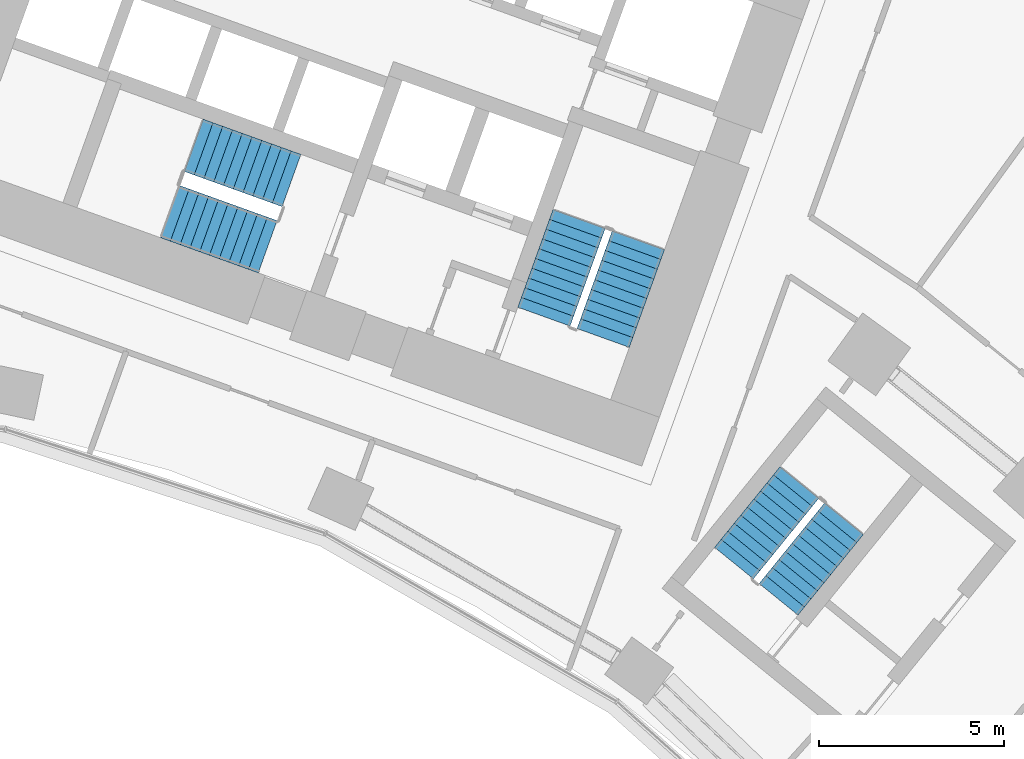
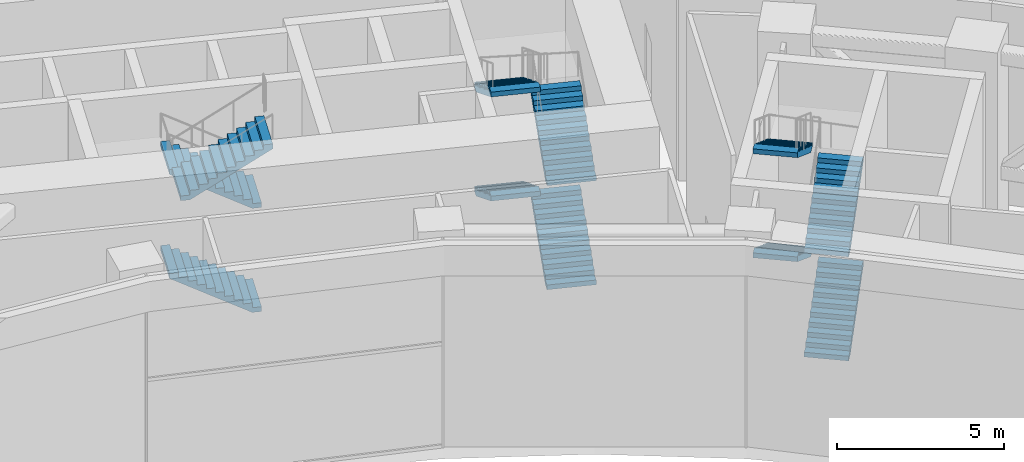
# One storey, part 30 of 33: 11 stair flights, 3 elements without a shape of their own.
"""IFC4 building model written with IfcOpenShell, lengths in metres."""

from ifc_helpers import new_model, si_unit, direction, frame, origin, place, context, subcontext, project, spatial, polyline, outline, extrude, material, type_object, element, aggregate, save


model = new_model("IFC4")

# Units and contexts
model_context = context("Model", 3, precision=1e-05, world=origin(), true_north=direction((0.0, 1.0)))
body_context = subcontext(model_context, "Body", "Model", "MODEL_VIEW")
ifc_project = project(units=[si_unit("LENGTHUNIT", "METRE"), si_unit("AREAUNIT", "SQUARE_METRE"), si_unit("VOLUMEUNIT", "CUBIC_METRE"), si_unit("PLANEANGLEUNIT", "RADIAN"), si_unit("MASSUNIT", "GRAM", prefix="KILO")], contexts=[model_context])

# Site, building, storey
site_placement = place(None, origin())
site = spatial("IfcSite", under=ifc_project, at=site_placement, CompositionType="ELEMENT")
building_placement = place(site_placement, origin())
building = spatial("IfcBuilding", under=site, at=building_placement, Name="Stone Belt Terrace Tower", CompositionType="ELEMENT")
storey_placement = place(building_placement, frame((0.0, 0.0, 79.39990234375)))
storey = spatial("IfcBuildingStorey", under=building, at=storey_placement, Name="L19", CompositionType="ELEMENT", Elevation=79.39990234375)

# Stair, stair flights
ifc_material = material(Name="Concrete B40", Category="concrete")
stair_type = type_object("IfcStairType", Name="Exit stair 1500", PredefinedType="HALF_TURN_STAIR", material=ifc_material)
stair_1_placement = place(storey_placement, origin())
stair_1 = element("IfcStair", 1, at=stair_1_placement, inside=storey, type_object=stair_type, Name="L19 Exit stair 1 core B", PredefinedType="HALF_TURN_STAIR")
stair_flight_type = type_object("IfcStairFlightType", Name="Stair flight 1500", PredefinedType="STRAIGHT", material=ifc_material)
stair_flight_1_placement = place(storey_placement, frame((25.15283203125, 44.9375, 0.0), z_axis=(0.0, 0.0, 1.0), x_axis=(0.338624396177, 0.940921632398, 0.0)))
stair_flight_1 = element("IfcStairFlight", 2, at=stair_flight_1_placement, type_object=stair_flight_type, Name="ST1B flight 1", NumberOfRisers=11, NumberOfTreads=10, PredefinedType="STRAIGHT", RiserHeight=0.172727273, TreadLength=0.28, context=body_context, shape_type="SweptSolid", body=[
    extrude(outline(polyline([(0.0, 0.0), (0.0, 0.172607421875), (0.280029296875, 0.172607421875), (0.280029296875, 0.345458984375), (0.56005859375, 0.345458984375), (0.56005859375, 0.51806640625), (0.840087890625, 0.51806640625), (0.840087890625, 0.69091796875), (1.1201171875, 0.69091796875), (1.1201171875, 0.863525390625), (1.39990234375, 0.863525390625), (1.39990234375, 1.036376953125), (1.679931640625, 1.036376953125), (1.679931640625, 1.208984375), (1.9599609375, 1.208984375), (1.9599609375, 1.3818359375), (2.239990234375, 1.3818359375), (2.239990234375, 1.554443359375), (2.52001953125, 1.554443359375), (2.52001953125, 1.727294921875), (2.800048828125, 1.727294921875), (2.800048828125, 1.89990234375), (2.800048828125, 1.551025390625), (0.285400390625, 0.0), (0.0, 0.0)])), frame((0.0, 0.75, 0.0), z_axis=(0.0, -1.0, 0.0), x_axis=(1.0, 0.0, 0.0)), (0.0, 0.0, 1.0), 1.5),
])
stair_flight_2_placement = place(storey_placement, frame((24.50146484375, 48.147705078125, 1.900146484375), z_axis=(0.0, 0.0, 1.0), x_axis=(-0.338624396177, -0.940921632398, 0.0)))
stair_flight_2 = element("IfcStairFlight", 3, at=stair_flight_2_placement, type_object=stair_flight_type, Name="ST1B flight 2", NumberOfRisers=11, NumberOfTreads=10, PredefinedType="STRAIGHT", RiserHeight=0.172727273, TreadLength=0.28, context=body_context, shape_type="SweptSolid", body=[
    extrude(outline(polyline([(0.0, 0.0), (0.0, 0.172607421875), (0.280029296875, 0.172607421875), (0.280029296875, 0.345458984375), (0.56005859375, 0.345458984375), (0.56005859375, 0.51806640625), (0.840087890625, 0.51806640625), (0.840087890625, 0.69091796875), (1.1201171875, 0.69091796875), (1.1201171875, 0.863525390625), (1.39990234375, 0.863525390625), (1.39990234375, 1.036376953125), (1.679931640625, 1.036376953125), (1.679931640625, 1.208984375), (1.9599609375, 1.208984375), (1.9599609375, 1.3818359375), (2.239990234375, 1.3818359375), (2.239990234375, 1.554443359375), (2.52001953125, 1.554443359375), (2.52001953125, 1.727294921875), (2.800048828125, 1.727294921875), (2.800048828125, 1.89990234375), (2.800048828125, 1.551025390625), (0.285400390625, 0.0), (0.0, 0.0)])), frame((0.0, 0.75, 0.0), z_axis=(0.0, -1.0, 0.0), x_axis=(1.0, 0.0, 0.0)), (0.0, 0.0, 1.0), 1.5),
])
stair_flight_3_placement = place(storey_placement, frame((25.15283203125, 44.9375, 3.800048828125), z_axis=(0.0, 0.0, 1.0), x_axis=(0.338624396177, 0.940921632398, 0.0)))
stair_flight_3 = element("IfcStairFlight", 4, at=stair_flight_3_placement, type_object=stair_flight_type, Name="ST1B flight 3", NumberOfRisers=11, NumberOfTreads=10, PredefinedType="STRAIGHT", RiserHeight=0.172727273, TreadLength=0.28, context=body_context, shape_type="SweptSolid", body=[
    extrude(outline(polyline([(0.0, 0.0), (0.0, 0.172607421875), (0.280029296875, 0.172607421875), (0.280029296875, 0.345458984375), (0.56005859375, 0.345458984375), (0.56005859375, 0.51806640625), (0.840087890625, 0.51806640625), (0.840087890625, 0.69091796875), (1.1201171875, 0.69091796875), (1.1201171875, 0.863525390625), (1.39990234375, 0.863525390625), (1.39990234375, 1.036376953125), (1.679931640625, 1.036376953125), (1.679931640625, 1.208984375), (1.9599609375, 1.208984375), (1.9599609375, 1.3818359375), (2.239990234375, 1.3818359375), (2.239990234375, 1.554443359375), (2.52001953125, 1.554443359375), (2.52001953125, 1.727294921875), (2.800048828125, 1.727294921875), (2.800048828125, 1.89990234375), (2.800048828125, 1.551025390625), (0.285400390625, 0.0), (0.0, 0.0)])), frame((0.0, 0.75, 0.0), z_axis=(0.0, -1.0, 0.0), x_axis=(1.0, 0.0, 0.0)), (0.0, 0.0, 1.0), 1.5),
])
stair_flight_4_placement = place(storey_placement, frame((24.50146484375, 48.147705078125, 5.7001953125), z_axis=(0.0, 0.0, 1.0), x_axis=(-0.338624396177, -0.940921632398, 0.0)))
stair_flight_4 = element("IfcStairFlight", 5, at=stair_flight_4_placement, type_object=stair_flight_type, Name="ST1B flight 4", NumberOfRisers=11, NumberOfTreads=10, PredefinedType="STRAIGHT", RiserHeight=0.172727273, TreadLength=0.28, context=body_context, shape_type="SweptSolid", body=[
    extrude(outline(polyline([(0.0, 0.0), (0.0, 0.172607421875), (0.280029296875, 0.172607421875), (0.280029296875, 0.345458984375), (0.56005859375, 0.345458984375), (0.56005859375, 0.51806640625), (0.840087890625, 0.51806640625), (0.840087890625, 0.69091796875), (1.1201171875, 0.69091796875), (1.1201171875, 0.863525390625), (1.39990234375, 0.863525390625), (1.39990234375, 1.036376953125), (1.679931640625, 1.036376953125), (1.679931640625, 1.208984375), (1.9599609375, 1.208984375), (1.9599609375, 1.3818359375), (2.239990234375, 1.3818359375), (2.239990234375, 1.554443359375), (2.52001953125, 1.554443359375), (2.52001953125, 1.727294921875), (2.800048828125, 1.727294921875), (2.800048828125, 1.89990234375), (2.800048828125, 1.551025390625), (0.285400390625, 0.0), (0.0, 0.0)])), frame((0.0, 0.75, 0.0), z_axis=(0.0, -1.0, 0.0), x_axis=(1.0, 0.0, 0.0)), (0.0, 0.0, 1.0), 1.5),
])
aggregate(stair_1, [stair_flight_1, stair_flight_2, stair_flight_3, stair_flight_4])

stair_2_placement = place(storey_placement, origin())
stair_2 = element("IfcStair", 6, at=stair_2_placement, inside=storey, type_object=stair_type, Name="L19 Exit stair 2 core B", PredefinedType="HALF_TURN_STAIR")
stair_flight_5_placement = place(storey_placement, frame((16.74462890625, 49.185546875, 0.0), z_axis=(0.0, 0.0, 1.0), x_axis=(-0.940921632398, 0.338624396177, 0.0)))
stair_flight_5 = element("IfcStairFlight", 7, at=stair_flight_5_placement, type_object=stair_flight_type, Name="ST2B flight 1", NumberOfRisers=11, NumberOfTreads=10, PredefinedType="STRAIGHT", RiserHeight=0.172727273, TreadLength=0.28, context=body_context, shape_type="SweptSolid", body=[
    extrude(outline(polyline([(0.0, 0.0), (0.0, 0.172607421875), (0.280029296875, 0.172607421875), (0.280029296875, 0.345458984375), (0.56005859375, 0.345458984375), (0.56005859375, 0.51806640625), (0.840087890625, 0.51806640625), (0.840087890625, 0.69091796875), (1.1201171875, 0.69091796875), (1.1201171875, 0.863525390625), (1.39990234375, 0.863525390625), (1.39990234375, 1.036376953125), (1.679931640625, 1.036376953125), (1.679931640625, 1.208984375), (1.9599609375, 1.208984375), (1.9599609375, 1.3818359375), (2.239990234375, 1.3818359375), (2.239990234375, 1.554443359375), (2.52001953125, 1.554443359375), (2.52001953125, 1.727294921875), (2.800048828125, 1.727294921875), (2.800048828125, 1.89990234375), (2.800048828125, 1.551025390625), (0.285400390625, 0.0), (0.0, 0.0)])), frame((0.0, 0.75, 0.0), z_axis=(0.0, -1.0, 0.0), x_axis=(1.0, 0.0, 0.0)), (0.0, 0.0, 1.0), 1.5),
])
stair_flight_6_placement = place(storey_placement, frame((16.74462890625, 49.185546875, 3.800048828125), z_axis=(0.0, 0.0, 1.0), x_axis=(-0.940921632398, 0.338624396177, 0.0)))
stair_flight_6 = element("IfcStairFlight", 8, at=stair_flight_6_placement, type_object=stair_flight_type, Name="ST2B flight 3", NumberOfRisers=11, NumberOfTreads=10, PredefinedType="STRAIGHT", RiserHeight=0.172727273, TreadLength=0.28, context=body_context, shape_type="SweptSolid", body=[
    extrude(outline(polyline([(0.0, 0.0), (0.0, 0.172607421875), (0.280029296875, 0.172607421875), (0.280029296875, 0.345458984375), (0.56005859375, 0.345458984375), (0.56005859375, 0.51806640625), (0.840087890625, 0.51806640625), (0.840087890625, 0.69091796875), (1.1201171875, 0.69091796875), (1.1201171875, 0.863525390625), (1.39990234375, 0.863525390625), (1.39990234375, 1.036376953125), (1.679931640625, 1.036376953125), (1.679931640625, 1.208984375), (1.9599609375, 1.208984375), (1.9599609375, 1.3818359375), (2.239990234375, 1.3818359375), (2.239990234375, 1.554443359375), (2.52001953125, 1.554443359375), (2.52001953125, 1.727294921875), (2.800048828125, 1.727294921875), (2.800048828125, 1.89990234375), (2.800048828125, 1.551025390625), (0.285400390625, 0.0), (0.0, 0.0)])), frame((0.0, 0.75, 0.0), z_axis=(0.0, -1.0, 0.0), x_axis=(1.0, 0.0, 0.0)), (0.0, 0.0, 1.0), 1.5),
])
stair_flight_7_placement = place(storey_placement, frame((13.466796875, 48.345947265625, 5.7001953125), z_axis=(0.0, 0.0, 1.0), x_axis=(0.940921632398, -0.338624396177, 0.0)))
stair_flight_7 = element("IfcStairFlight", 9, at=stair_flight_7_placement, type_object=stair_flight_type, Name="ST2B flight 4", NumberOfRisers=11, NumberOfTreads=10, PredefinedType="STRAIGHT", RiserHeight=0.172727273, TreadLength=0.28, context=body_context, shape_type="SweptSolid", body=[
    extrude(outline(polyline([(0.0, 0.0), (0.0, 0.172607421875), (0.280029296875, 0.172607421875), (0.280029296875, 0.345458984375), (0.56005859375, 0.345458984375), (0.56005859375, 0.51806640625), (0.840087890625, 0.51806640625), (0.840087890625, 0.69091796875), (1.1201171875, 0.69091796875), (1.1201171875, 0.863525390625), (1.39990234375, 0.863525390625), (1.39990234375, 1.036376953125), (1.679931640625, 1.036376953125), (1.679931640625, 1.208984375), (1.9599609375, 1.208984375), (1.9599609375, 1.3818359375), (2.239990234375, 1.3818359375), (2.239990234375, 1.554443359375), (2.52001953125, 1.554443359375), (2.52001953125, 1.727294921875), (2.800048828125, 1.727294921875), (2.800048828125, 1.89990234375), (2.800048828125, 1.551025390625), (0.285400390625, 0.0), (0.0, 0.0)])), frame((0.0, 0.75, 0.0), z_axis=(0.0, -1.0, 0.0), x_axis=(1.0, 0.0, 0.0)), (0.0, 0.0, 1.0), 1.5),
])
aggregate(stair_2, [stair_flight_5, stair_flight_6, stair_flight_7])

stair_3_placement = place(storey_placement, origin())
stair_3 = element("IfcStair", 10, at=stair_3_placement, inside=storey, type_object=stair_type, Name="L19 Exit stair 3B", PredefinedType="HALF_TURN_STAIR")
stair_flight_8_placement = place(storey_placement, frame((29.88330078125, 37.887939453125, 0.0), z_axis=(0.0, 0.0, 1.0), x_axis=(0.630205749599, 0.776428176441, 0.0)))
stair_flight_8 = element("IfcStairFlight", 11, at=stair_flight_8_placement, type_object=stair_flight_type, Name="ST3B flight 1", NumberOfRisers=11, NumberOfTreads=10, PredefinedType="STRAIGHT", RiserHeight=0.172727273, TreadLength=0.28, context=body_context, shape_type="SweptSolid", body=[
    extrude(outline(polyline([(0.0, 0.0), (0.0, 0.172607421875), (0.280029296875, 0.172607421875), (0.280029296875, 0.345458984375), (0.56005859375, 0.345458984375), (0.56005859375, 0.51806640625), (0.840087890625, 0.51806640625), (0.840087890625, 0.69091796875), (1.1201171875, 0.69091796875), (1.1201171875, 0.863525390625), (1.39990234375, 0.863525390625), (1.39990234375, 1.036376953125), (1.679931640625, 1.036376953125), (1.679931640625, 1.208984375), (1.9599609375, 1.208984375), (1.9599609375, 1.3818359375), (2.239990234375, 1.3818359375), (2.239990234375, 1.554443359375), (2.52001953125, 1.554443359375), (2.52001953125, 1.727294921875), (2.800048828125, 1.727294921875), (2.800048828125, 1.89990234375), (2.800048828125, 1.551025390625), (0.285400390625, 0.0), (0.0, 0.0)])), frame((0.0, 0.675048828125, 0.0), z_axis=(0.0, -1.0, 0.0), x_axis=(1.0, 0.0, 0.0)), (0.0, 0.0, 1.0), 1.35009765625),
])
stair_flight_9_placement = place(storey_placement, frame((30.4443359375, 41.038818359375, 1.900146484375), z_axis=(0.0, 0.0, 1.0), x_axis=(-0.630205749599, -0.776428176441, 0.0)))
stair_flight_9 = element("IfcStairFlight", 12, at=stair_flight_9_placement, type_object=stair_flight_type, Name="ST3B flight 2", NumberOfRisers=11, NumberOfTreads=10, PredefinedType="STRAIGHT", RiserHeight=0.172727273, TreadLength=0.28, context=body_context, shape_type="SweptSolid", body=[
    extrude(outline(polyline([(0.0, 0.0), (0.0, 0.172607421875), (0.280029296875, 0.172607421875), (0.280029296875, 0.345458984375), (0.56005859375, 0.345458984375), (0.56005859375, 0.51806640625), (0.840087890625, 0.51806640625), (0.840087890625, 0.69091796875), (1.1201171875, 0.69091796875), (1.1201171875, 0.863525390625), (1.39990234375, 0.863525390625), (1.39990234375, 1.036376953125), (1.679931640625, 1.036376953125), (1.679931640625, 1.208984375), (1.9599609375, 1.208984375), (1.9599609375, 1.3818359375), (2.239990234375, 1.3818359375), (2.239990234375, 1.554443359375), (2.52001953125, 1.554443359375), (2.52001953125, 1.727294921875), (2.800048828125, 1.727294921875), (2.800048828125, 1.89990234375), (2.800048828125, 1.551025390625), (0.285400390625, 0.0), (0.0, 0.0)])), frame((0.0, 0.675048828125, 0.0), z_axis=(0.0, -1.0, 0.0), x_axis=(1.0, 0.0, 0.0)), (0.0, 0.0, 1.0), 1.35009765625),
])
stair_flight_10_placement = place(storey_placement, frame((29.88330078125, 37.887939453125, 3.800048828125), z_axis=(0.0, 0.0, 1.0), x_axis=(0.630205749599, 0.776428176441, 0.0)))
stair_flight_10 = element("IfcStairFlight", 13, at=stair_flight_10_placement, type_object=stair_flight_type, Name="ST3B flight 3", NumberOfRisers=11, NumberOfTreads=10, PredefinedType="STRAIGHT", RiserHeight=0.172727273, TreadLength=0.28, context=body_context, shape_type="SweptSolid", body=[
    extrude(outline(polyline([(0.0, 0.0), (0.0, 0.172607421875), (0.280029296875, 0.172607421875), (0.280029296875, 0.345458984375), (0.56005859375, 0.345458984375), (0.56005859375, 0.51806640625), (0.840087890625, 0.51806640625), (0.840087890625, 0.69091796875), (1.1201171875, 0.69091796875), (1.1201171875, 0.863525390625), (1.39990234375, 0.863525390625), (1.39990234375, 1.036376953125), (1.679931640625, 1.036376953125), (1.679931640625, 1.208984375), (1.9599609375, 1.208984375), (1.9599609375, 1.3818359375), (2.239990234375, 1.3818359375), (2.239990234375, 1.554443359375), (2.52001953125, 1.554443359375), (2.52001953125, 1.727294921875), (2.800048828125, 1.727294921875), (2.800048828125, 1.89990234375), (2.800048828125, 1.551025390625), (0.285400390625, 0.0), (0.0, 0.0)])), frame((0.0, 0.675048828125, 0.0), z_axis=(0.0, -1.0, 0.0), x_axis=(1.0, 0.0, 0.0)), (0.0, 0.0, 1.0), 1.35009765625),
])
stair_flight_11_placement = place(storey_placement, frame((30.4443359375, 41.038818359375, 5.7001953125), z_axis=(0.0, 0.0, 1.0), x_axis=(-0.630205749599, -0.776428176441, 0.0)))
stair_flight_11 = element("IfcStairFlight", 14, at=stair_flight_11_placement, type_object=stair_flight_type, Name="ST3B flight 4", NumberOfRisers=11, NumberOfTreads=10, PredefinedType="STRAIGHT", RiserHeight=0.172727273, TreadLength=0.28, context=body_context, shape_type="SweptSolid", body=[
    extrude(outline(polyline([(0.0, 0.0), (0.0, 0.172607421875), (0.280029296875, 0.172607421875), (0.280029296875, 0.345458984375), (0.56005859375, 0.345458984375), (0.56005859375, 0.51806640625), (0.840087890625, 0.51806640625), (0.840087890625, 0.69091796875), (1.1201171875, 0.69091796875), (1.1201171875, 0.863525390625), (1.39990234375, 0.863525390625), (1.39990234375, 1.036376953125), (1.679931640625, 1.036376953125), (1.679931640625, 1.208984375), (1.9599609375, 1.208984375), (1.9599609375, 1.3818359375), (2.239990234375, 1.3818359375), (2.239990234375, 1.554443359375), (2.52001953125, 1.554443359375), (2.52001953125, 1.727294921875), (2.800048828125, 1.727294921875), (2.800048828125, 1.89990234375), (2.800048828125, 1.551025390625), (0.285400390625, 0.0), (0.0, 0.0)])), frame((0.0, 0.675048828125, 0.0), z_axis=(0.0, -1.0, 0.0), x_axis=(1.0, 0.0, 0.0)), (0.0, 0.0, 1.0), 1.35009765625),
])
aggregate(stair_3, [stair_flight_8, stair_flight_9, stair_flight_10, stair_flight_11])

save(model, "model.ifc")
